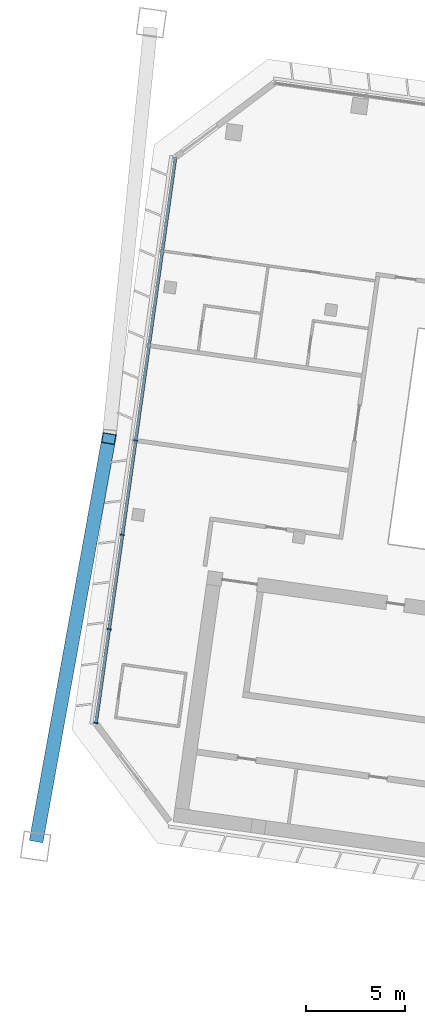
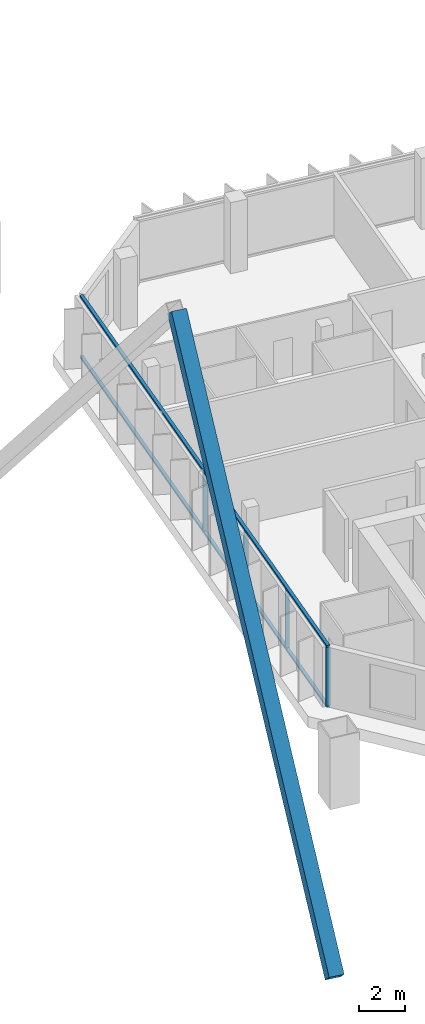
# One storey, part 2 of 23: 7 members, 1 element without a shape of its own.
"""IFC4 building model written with IfcOpenShell, lengths in metres."""

import ifcopenshell
import ifcopenshell.guid

model = None  # the IFC model being written
_history = None  # IfcOwnerHistory: only IFC2X3 demands one
_inside = {}  # id of a spatial element -> (the spatial element, [elements in it])
_under = {}  # id of a project, library or spatial element -> (it, [spatial elements below it])
_declared = {}  # id of a project -> (the project, [libraries it declares])
_typed = {}  # id of a type object -> (the type object, [elements of that type])
_made_of = {}  # id of a material, layer set ... -> (it, [elements and type objects made of it])


def new_model(schema):
    """Start an empty IFC model of exactly this schema.

    Asked for "IFC4X3", IfcOpenShell would pick the latest addendum, in which some entities
    have other attributes; the version numbers below select the first issue.
    IFC2X3 requires an IfcOwnerHistory on every rooted entity: one is made here for all.
    """
    global model, _history
    if schema == "IFC4X3":
        model = ifcopenshell.file(schema_version=(4, 3, 0, 0))
    else:
        model = ifcopenshell.file(schema=schema)
    _inside.clear()
    _under.clear()
    _declared.clear()
    _typed.clear()
    _made_of.clear()
    _history = None
    if model.schema == "IFC2X3":
        org = make("IfcOrganization", Name="unknown")
        user = make(
            "IfcPersonAndOrganization",
            ThePerson=make("IfcPerson", FamilyName="unknown"),
            TheOrganization=org,
        )
        app = make(
            "IfcApplication",
            ApplicationDeveloper=org,
            Version="unknown",
            ApplicationFullName="unknown",
            ApplicationIdentifier="unknown",
        )
        _history = make(
            "IfcOwnerHistory",
            OwningUser=user,
            OwningApplication=app,
            ChangeAction="ADDED",
            CreationDate=0,
        )
    return model


def make(cls, **values):
    """One entity of the class cls with the attributes given. An attribute that is None is left unset."""
    return model.create_entity(
        cls, **{name: value for name, value in values.items() if value is not None}
    )


def rooted(cls, **values):
    """An entity with a GlobalId (a new one), such as an element, a storey or a relation."""
    return make(cls, GlobalId=ifcopenshell.guid.new(), OwnerHistory=_history, **values)


def si_unit(unit_type, name, prefix=None):
    """IfcSIUnit, for example si_unit("LENGTHUNIT", "METRE", prefix="MILLI")."""
    return make("IfcSIUnit", UnitType=unit_type, Prefix=prefix, Name=name)


def assignment(units):
    """IfcUnitAssignment: the units of a project."""
    return None if units is None else make("IfcUnitAssignment", Units=units)


def point(xyz):
    """IfcCartesianPoint."""
    return None if xyz is None else make("IfcCartesianPoint", Coordinates=xyz)


def direction(xyz):
    """IfcDirection."""
    return None if xyz is None else make("IfcDirection", DirectionRatios=xyz)


def frame(location, z_axis=None, x_axis=None):
    """IfcAxis2Placement3D, a coordinate frame: its origin and axes. An axis left out is left unset."""
    return make(
        "IfcAxis2Placement3D",
        Location=point(location),
        Axis=direction(z_axis),
        RefDirection=direction(x_axis),
    )


def frame_2d(location, x_axis=None):
    """IfcAxis2Placement2D, a coordinate frame in the plane: its origin and x axis."""
    return make(
        "IfcAxis2Placement2D", Location=point(location), RefDirection=direction(x_axis)
    )


def origin():
    """The frame at (0, 0, 0) with its axes left unset."""
    return frame((0.0, 0.0, 0.0))


def origin_2d():
    """The frame at (0, 0) in the plane with its x axis left unset."""
    return frame_2d((0.0, 0.0))


def place(relative_to, where):
    """IfcLocalPlacement: puts the frame where relative to a parent placement (None: the world)."""
    return make(
        "IfcLocalPlacement", PlacementRelTo=relative_to, RelativePlacement=where
    )


def context(
    kind, dimensions, precision=None, world=None, true_north=None, identifier=None
):
    """IfcGeometricRepresentationContext, for example the 3D "Model" context."""
    return make(
        "IfcGeometricRepresentationContext",
        ContextIdentifier=identifier,
        ContextType=kind,
        CoordinateSpaceDimension=dimensions,
        Precision=precision,
        WorldCoordinateSystem=world,
        TrueNorth=true_north,
    )


def subcontext(parent, identifier, kind, view, scale=None):
    """IfcGeometricRepresentationSubContext, for example "Body" below "Model"."""
    return make(
        "IfcGeometricRepresentationSubContext",
        ContextIdentifier=identifier,
        ContextType=kind,
        ParentContext=parent,
        TargetScale=scale,
        TargetView=view,
    )


def project(units=None, contexts=None):
    """IfcProject with its units and contexts."""
    return rooted(
        "IfcProject",
        Name="project",
        RepresentationContexts=contexts,
        UnitsInContext=assignment(units),
    )


def spatial(cls, under=None, at=None, **own):
    """A site, building, storey or space (cls), placed at a placement, below another one or the project."""
    s = rooted(cls, ObjectPlacement=at, **own)
    if under is not None:
        _under.setdefault(under.id(), (under, []))[1].append(s)
    return s


def profile(cls, at=None, kind="AREA", **sizes):
    """A parametric profile (cls). Its sizes go by their IFC names, for example OverallWidth=200.0."""
    return make(cls, ProfileType=kind, Position=at, **sizes)


def rectangle(**sizes):
    """IfcRectangleProfileDef."""
    return profile("IfcRectangleProfileDef", **sizes)


def hollow_rectangle(**sizes):
    """IfcRectangleHollowProfileDef."""
    return profile("IfcRectangleHollowProfileDef", **sizes)


def extrude(swept, where, along, depth):
    """IfcExtrudedAreaSolid: the profile swept, set in the frame where, extruded along a direction by depth."""
    return make(
        "IfcExtrudedAreaSolid",
        SweptArea=swept,
        Position=where,
        ExtrudedDirection=direction(along),
        Depth=depth,
    )


def shape(context_of_items, identifier, shape_type, items):
    """IfcShapeRepresentation: the items that make up one representation, for example the "Body"."""
    return make(
        "IfcShapeRepresentation",
        ContextOfItems=context_of_items,
        RepresentationIdentifier=identifier,
        RepresentationType=shape_type,
        Items=items,
    )


def material(Name=None, Category=None):
    """IfcMaterial."""
    return make("IfcMaterial", Name=Name, Category=Category)


def material_profile(
    of_material, cross_section, Name=None, Category=None, Priority=None
):
    """IfcMaterialProfile: a cross section and its material."""
    return make(
        "IfcMaterialProfile",
        Name=Name,
        Material=of_material,
        Profile=cross_section,
        Priority=Priority,
        Category=Category,
    )


def profile_set(profiles, Name=None, composite=None):
    """IfcMaterialProfileSet."""
    return make(
        "IfcMaterialProfileSet",
        Name=Name,
        MaterialProfiles=profiles,
        CompositeProfile=composite,
    )


def made_of(thing, what):
    """Note that an element or type object is made of a material, layer set ...; save() writes the relation."""
    if what is not None:
        _made_of.setdefault(what.id(), (what, []))[1].append(thing)
    return thing


def type_object(cls, material=None, **own):
    """A type object (cls), such as IfcWallType, which elements share."""
    return made_of(rooted(cls, **own), material)


def element(
    cls,
    number,
    at=None,
    inside=None,
    cuts=None,
    type_object=None,
    material=None,
    context=None,
    identifier="Body",
    shape_type=None,
    held_by="IfcProductDefinitionShape",
    body=None,
    shapes=None,
    **own,
):
    """One element of the class cls, such as IfcWall. Its Tag is "e" and its number.

    at: its placement. inside: the storey or other place that contains it. cuts: it is an
    opening in that element (IfcRelVoidsElement). A single representation is given by context,
    identifier, shape_type and body (its items); several are given by shapes. held_by: the class
    of the entity that holds the representations. save() writes the other relations.
    """
    e = rooted(cls, Tag="e%d" % number, ObjectPlacement=at, **own)
    if body is not None:
        shapes = [shape(context, identifier, shape_type, body)]
    if shapes is not None:
        e.Representation = make(held_by, Representations=shapes)
    if inside is not None:
        _inside.setdefault(inside.id(), (inside, []))[1].append(e)
    if cuts is not None:
        rooted(
            "IfcRelVoidsElement", RelatingBuildingElement=cuts, RelatedOpeningElement=e
        )
    if type_object is not None:
        _typed.setdefault(type_object.id(), (type_object, []))[1].append(e)
    return made_of(e, material)


def aggregate(whole, parts):
    """IfcRelAggregates: a whole, such as a stair, and the parts it consists of."""
    return rooted("IfcRelAggregates", RelatingObject=whole, RelatedObjects=parts)


def save(model, path):
    """Write the relations noted so far, then the file.

    IfcRelAggregates (storeys below a building ...), IfcRelContainedInSpatialStructure (elements
    in a storey), IfcRelDefinesByType, IfcRelAssociatesMaterial and IfcRelDeclares: one each for
    every whole, place, type object, material and project.
    """
    for whole, parts in _under.values():
        aggregate(whole, parts)
    for where, things in _inside.values():
        rooted(
            "IfcRelContainedInSpatialStructure",
            RelatedElements=things,
            RelatingStructure=where,
        )
    for kind, things in _typed.values():
        rooted("IfcRelDefinesByType", RelatedObjects=things, RelatingType=kind)
    for what, things in _made_of.values():
        rooted("IfcRelAssociatesMaterial", RelatedObjects=things, RelatingMaterial=what)
    for by, libraries in _declared.values():
        rooted("IfcRelDeclares", RelatingContext=by, RelatedDefinitions=libraries)
    model.write(path)


model = new_model("IFC4")

# Units and contexts
model_context = context("Model", 3, precision=1e-05, world=origin(), true_north=direction((0.0, 1.0)))
body_context = subcontext(model_context, "Body", "Model", "MODEL_VIEW")
ifc_project = project(units=[si_unit("LENGTHUNIT", "METRE"), si_unit("AREAUNIT", "SQUARE_METRE"), si_unit("VOLUMEUNIT", "CUBIC_METRE"), si_unit("PLANEANGLEUNIT", "RADIAN"), si_unit("MASSUNIT", "GRAM", prefix="KILO")], contexts=[model_context])

# Site, building, storey
site_placement = place(None, origin())
site = spatial("IfcSite", under=ifc_project, at=site_placement, CompositionType="ELEMENT")
building_placement = place(site_placement, origin())
building = spatial("IfcBuilding", under=site, at=building_placement, Name="Mirante Cascada Hotel Towers", CompositionType="ELEMENT")
storey_placement = place(building_placement, frame((0.0, 0.0, 195.4)))
storey = spatial("IfcBuildingStorey", under=building, at=storey_placement, Name="L46", CompositionType="ELEMENT", Elevation=195.4)

# Member
ifc_material_1 = material(Name="Steel ASTM A572 Gr 50", Category="steel")
ifc_material_profile_1 = material_profile(ifc_material_1, hollow_rectangle(XDim=0.7, YDim=0.7, WallThickness=0.035, at=origin_2d()), Name="Box brace 700x700x35 ASTM A572 Gr 50")
ifc_profile_set_1 = profile_set([ifc_material_profile_1], Name="Steel ASTM A572 Gr 50")
member_type_1 = type_object("IfcMemberType", Name="Box brace 700x700x35 ASTM A572 Gr 50", PredefinedType="BRACE", material=ifc_profile_set_1)
member_1_placement = place(storey_placement, frame((-88.3091, -14.5142, -9.9053), z_axis=(0.1202718, 0.666892, 0.7353841), x_axis=(-0.9841238, 0.1774835, 0.0)))
element("IfcMember", 1, at=member_1_placement, inside=storey, type_object=member_type_1, Name="brace T1 L46 1", PredefinedType="BRACE", context=body_context, shape_type="SweptSolid", body=[
    extrude(hollow_rectangle(XDim=0.7, YDim=0.7, WallThickness=0.035, at=origin_2d()), origin(), (0.0, 0.0, 1.0), 30.1451),
])

# Curtain wall, members
ifc_material_2 = material(Name="Aluminium mullion and transom frame with clear laminated glass", Category="aluminium")
curtain_wall_type = type_object("IfcCurtainWallType", Name="End ribbon curtain wall ECW2", PredefinedType="NOTDEFINED", material=ifc_material_2)
curtain_wall_placement = place(storey_placement, origin())
curtain_wall = element("IfcCurtainWall", 2, at=curtain_wall_placement, inside=storey, type_object=curtain_wall_type, Name="Outer end wall T1 L46", PredefinedType="NOTDEFINED")
ifc_material_3 = material(Name="Anodised aluminium extrusion", Category="aluminium")
ifc_material_profile_2 = material_profile(ifc_material_3, rectangle(XDim=0.2, YDim=0.065, at=origin_2d()), Name="ECW2 MULLION 65x200")
ifc_profile_set_2 = profile_set([ifc_material_profile_2], Name="Anodised aluminium extrusion")
member_type_2 = type_object("IfcMemberType", Name="ECW2 mullion 65x200", PredefinedType="MULLION", material=ifc_profile_set_2)
member_2_placement = place(storey_placement, frame((-85.3308, -8.7707, 0.1), z_axis=(0.0, 0.0, 1.0), x_axis=(-0.9902681, 0.1391731, 0.0)))
member_2 = element("IfcMember", 3, at=member_2_placement, type_object=member_type_2, Name="ECW2 mullion 1", PredefinedType="MULLION", context=body_context, shape_type="SweptSolid", body=[
    extrude(rectangle(XDim=0.2, YDim=0.065, at=origin_2d()), origin(), (0.0, 0.0, 1.0), 3.15),
])
member_3_placement = place(storey_placement, frame((-84.6655, -4.0371, 0.1), z_axis=(0.0, 0.0, 1.0), x_axis=(-0.9902681, 0.1391731, 0.0)))
member_3 = element("IfcMember", 4, at=member_3_placement, type_object=member_type_2, Name="ECW2 mullion 2", PredefinedType="MULLION", context=body_context, shape_type="SweptSolid", body=[
    extrude(rectangle(XDim=0.2, YDim=0.065, at=origin_2d()), origin(), (0.0, 0.0, 1.0), 3.15),
])
member_4_placement = place(storey_placement, frame((-83.9957, 0.7287, 0.1), z_axis=(0.0, 0.0, 1.0), x_axis=(-0.9902681, 0.1391731, 0.0)))
member_4 = element("IfcMember", 5, at=member_4_placement, type_object=member_type_2, Name="ECW2 mullion 3", PredefinedType="MULLION", context=body_context, shape_type="SweptSolid", body=[
    extrude(rectangle(XDim=0.2, YDim=0.065, at=origin_2d()), origin(), (0.0, 0.0, 1.0), 3.15),
])
member_5_placement = place(storey_placement, frame((-83.3259, 5.4945, 0.1), z_axis=(0.0, 0.0, 1.0), x_axis=(-0.9902681, 0.1391731, 0.0)))
member_5 = element("IfcMember", 6, at=member_5_placement, type_object=member_type_2, Name="ECW2 mullion 4", PredefinedType="MULLION", context=body_context, shape_type="SweptSolid", body=[
    extrude(rectangle(XDim=0.2, YDim=0.065, at=origin_2d()), origin(), (0.0, 0.0, 1.0), 3.15),
])
ifc_material_4 = material(Name="Anodised aluminium extrusion", Category="aluminium")
ifc_material_profile_3 = material_profile(ifc_material_4, rectangle(XDim=0.16, YDim=0.1, at=origin_2d()), Name="ECW2 TRANSOM 100x160")
ifc_profile_set_3 = profile_set([ifc_material_profile_3], Name="Anodised aluminium extrusion")
member_type_3 = type_object("IfcMemberType", Name="ECW2 transom 100x160", PredefinedType="USERDEFINED", material=ifc_profile_set_3)
member_6_placement = place(storey_placement, frame((-85.3353, -8.8029, 0.05), z_axis=(0.1391723, 0.9902682, 0.0), x_axis=(-0.9902682, 0.1391723, 0.0)))
member_6 = element("IfcMember", 7, at=member_6_placement, type_object=member_type_3, Name="ECW2 sill transom", ObjectType="TRANSOM", PredefinedType="USERDEFINED", context=body_context, shape_type="SweptSolid", body=[
    extrude(rectangle(XDim=0.16, YDim=0.1, at=origin_2d()), origin(), (0.0, 0.0, 1.0), 28.8757),
])
member_7_placement = place(storey_placement, frame((-85.3353, -8.8029, 3.3), z_axis=(0.1391723, 0.9902682, 0.0), x_axis=(-0.9902682, 0.1391723, 0.0)))
member_7 = element("IfcMember", 8, at=member_7_placement, type_object=member_type_3, Name="ECW2 head transom", ObjectType="TRANSOM", PredefinedType="USERDEFINED", context=body_context, shape_type="SweptSolid", body=[
    extrude(rectangle(XDim=0.16, YDim=0.1, at=origin_2d()), origin(), (0.0, 0.0, 1.0), 28.8757),
])
aggregate(curtain_wall, [member_6, member_7, member_2, member_3, member_4, member_5])

save(model, "model.ifc")
